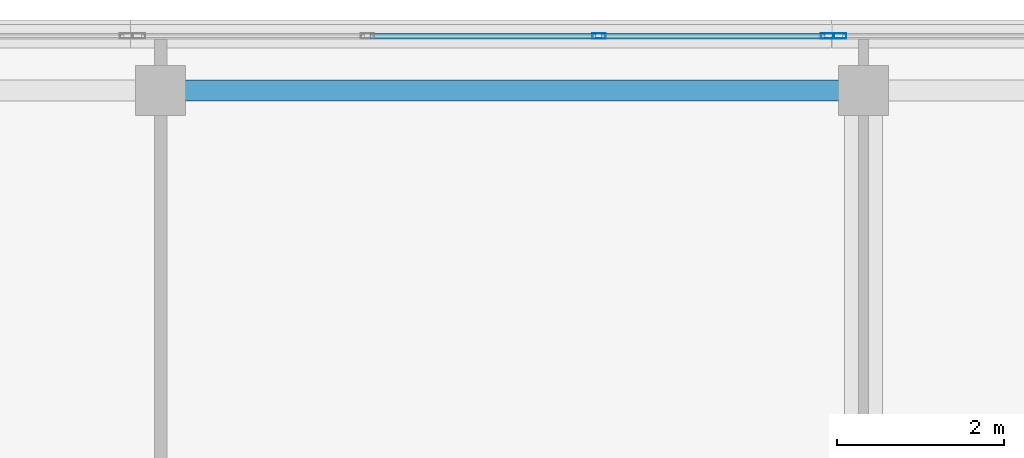
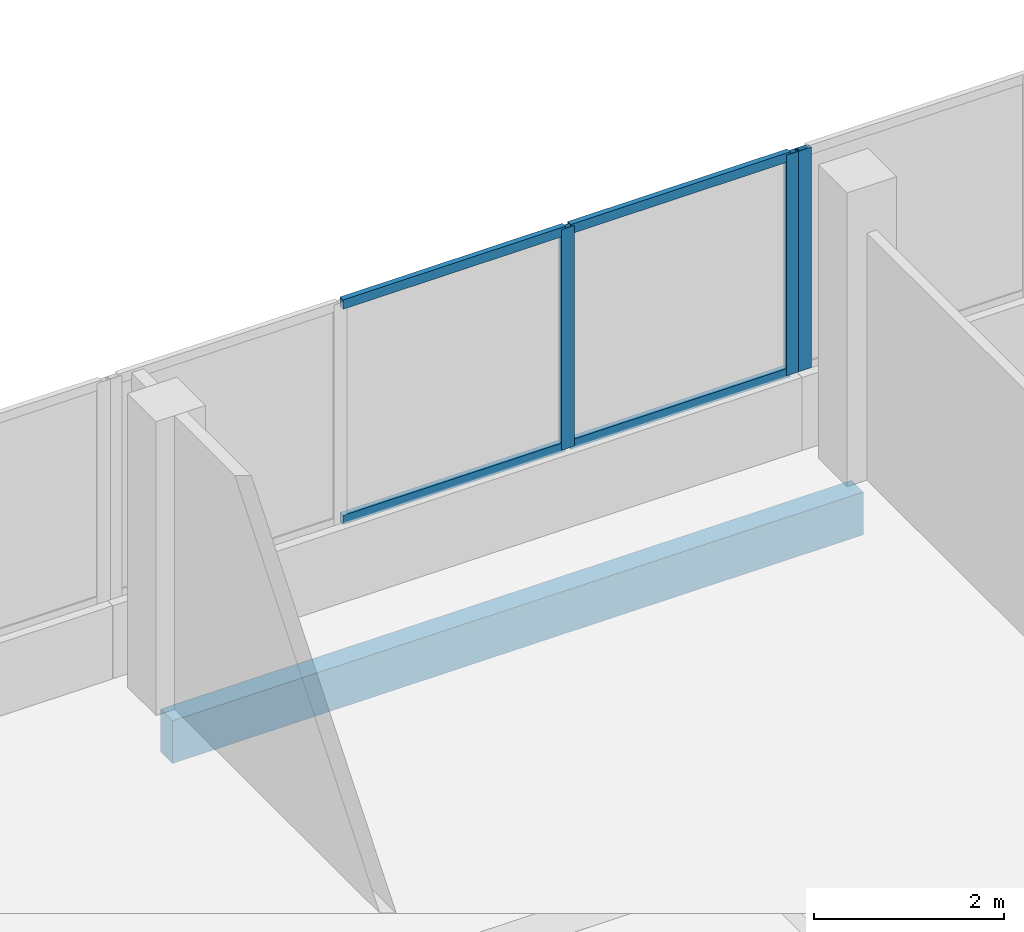
# One storey, part 56 of 78: 7 members, 1 beam, 2 elements without a shape of their own.
"""IFC4 building model written with IfcOpenShell, lengths in metres."""

from ifc_helpers import new_model, si_unit, direction, frame, origin, origin_2d, place, context, subcontext, project, spatial, rectangle, hollow_rectangle, extrude, material, material_profile, profile_set, type_object, element, aggregate, save


model = new_model("IFC4")

# Units and contexts
model_context = context("Model", 3, precision=1e-05, world=origin(), true_north=direction((0.0, 1.0)))
body_context = subcontext(model_context, "Body", "Model", "MODEL_VIEW")
ifc_project = project(units=[si_unit("LENGTHUNIT", "METRE"), si_unit("AREAUNIT", "SQUARE_METRE"), si_unit("VOLUMEUNIT", "CUBIC_METRE"), si_unit("PLANEANGLEUNIT", "RADIAN"), si_unit("MASSUNIT", "GRAM", prefix="KILO")], contexts=[model_context])

# Site, building, storey
site_placement = place(None, origin())
site = spatial("IfcSite", under=ifc_project, at=site_placement, CompositionType="ELEMENT")
building_placement = place(site_placement, origin())
building = spatial("IfcBuilding", under=site, at=building_placement, Name="Selatvlak General Hospital", CompositionType="ELEMENT")
storey_placement = place(building_placement, frame((0.0, 0.0, 23.25)))
storey = spatial("IfcBuildingStorey", under=building, at=storey_placement, Name="L05", CompositionType="ELEMENT", Elevation=23.25)

# Beam
ifc_material_1 = material(Name="Concrete C40/50", Category="concrete")
ifc_material_profile_1 = material_profile(ifc_material_1, rectangle(XDim=0.25, YDim=0.550048828125, at=origin_2d()), Name="RC-SP 250x550")
ifc_profile_set_1 = profile_set([ifc_material_profile_1], Name="Concrete C40/50")
beam_type = type_object("IfcBeamType", Name="BM-SP2", PredefinedType="SPANDREL", material=ifc_profile_set_1)
beam_placement = place(storey_placement, frame((165.60009765625, 119.35009765625, -0.554931640625), z_axis=(1.0, 0.0, 0.0), x_axis=(0.0, 1.0, 0.0)))
element("IfcBeam", 1, at=beam_placement, inside=storey, type_object=beam_type, Name="Beam BMR-L05-1987", PredefinedType="SPANDREL", context=body_context, shape_type="SweptSolid", body=[
    extrude(rectangle(XDim=0.25, YDim=0.550048828125, at=origin_2d()), origin(), (0.0, 0.0, 1.0), 8.39990234375),
])

# Curtain wall, members
ifc_material_2 = material(Name="Solar-control Low-E double glazing", Category="glass")
curtain_wall_type_1 = type_object("IfcCurtainWallType", Name="CW-CW-02", PredefinedType="USERDEFINED", material=ifc_material_2)
curtain_wall_1_placement = place(storey_placement, origin())
curtain_wall_1 = element("IfcCurtainWall", 2, at=curtain_wall_1_placement, inside=storey, type_object=curtain_wall_type_1, Name="Glazed facade curtain wall CW-L05-0564", ObjectType="UNITISED CURTAIN WALL", PredefinedType="USERDEFINED")
ifc_material_3 = material(Name="Dark anodised aluminium mullion", Category="aluminium")
ifc_material_profile_2 = material_profile(ifc_material_3, hollow_rectangle(XDim=0.06494140625, YDim=0.159912109375, WallThickness=0.00390625, at=origin_2d()), Name="AL-MUL 65x160x4")
ifc_profile_set_2 = profile_set([ifc_material_profile_2], Name="Dark anodised aluminium mullion")
member_type_1 = type_object("IfcMemberType", Name="CWM-01", PredefinedType="MULLION", material=ifc_profile_set_2)
member_1_placement = place(storey_placement, frame((170.838623046875, 120.0, 0.93994140625), z_axis=(0.0, 0.0, 1.0), x_axis=(0.0, 1.0, 0.0)))
member_1 = element("IfcMember", 3, at=member_1_placement, type_object=member_type_1, Name="CW-02 mullion 3", PredefinedType="MULLION", context=body_context, shape_type="SweptSolid", body=[
    extrude(hollow_rectangle(XDim=0.06494140625, YDim=0.159912109375, WallThickness=0.00390625, at=origin_2d()), origin(), (0.0, 0.0, 1.0), 2.8349609375),
])
member_2_placement = place(storey_placement, frame((173.572509765625, 120.0, 0.93994140625), z_axis=(0.0, 0.0, 1.0), x_axis=(0.0, 1.0, 0.0)))
member_2 = element("IfcMember", 4, at=member_2_placement, type_object=member_type_1, Name="CW-02 mullion 4", PredefinedType="MULLION", context=body_context, shape_type="SweptSolid", body=[
    extrude(hollow_rectangle(XDim=0.06494140625, YDim=0.159912109375, WallThickness=0.00390625, at=origin_2d()), origin(), (0.0, 0.0, 1.0), 2.8349609375),
])

# Curtain wall, member
curtain_wall_type_2 = type_object("IfcCurtainWallType", Name="CW-CW-01", PredefinedType="USERDEFINED", material=ifc_material_2)
curtain_wall_2_placement = place(storey_placement, origin())
curtain_wall_2 = element("IfcCurtainWall", 5, at=curtain_wall_2_placement, inside=storey, type_object=curtain_wall_type_2, Name="Glazed facade curtain wall CW-L05-0565", ObjectType="UNITISED CURTAIN WALL", PredefinedType="USERDEFINED")
member_3_placement = place(storey_placement, frame((173.717529296875, 120.0, 0.93994140625), z_axis=(0.0, 0.0, 1.0), x_axis=(0.0, 1.0, 0.0)))
member_3 = element("IfcMember", 6, at=member_3_placement, type_object=member_type_1, Name="CW-01 mullion 1", PredefinedType="MULLION", context=body_context, shape_type="SweptSolid", body=[
    extrude(hollow_rectangle(XDim=0.06494140625, YDim=0.159912109375, WallThickness=0.00390625, at=origin_2d()), origin(), (0.0, 0.0, 1.0), 2.8349609375),
])
aggregate(curtain_wall_2, [member_3])

# Member
ifc_material_profile_3 = material_profile(ifc_material_3, hollow_rectangle(XDim=0.06494140625, YDim=0.1201171875, WallThickness=0.00390625, at=origin_2d()), Name="AL-TRN 65x120x4")
ifc_profile_set_3 = profile_set([ifc_material_profile_3], Name="Dark anodised aluminium mullion")
member_type_2 = type_object("IfcMemberType", Name="CWT-01", PredefinedType="USERDEFINED", material=ifc_profile_set_3)
member_4_placement = place(storey_placement, frame((168.104736328125, 120.0, 0.972412109375), z_axis=(1.0, 0.0, 0.0), x_axis=(0.0, 1.0, 0.0)))
member_4 = element("IfcMember", 7, at=member_4_placement, type_object=member_type_2, Name="CW-02 transom 2.1", ObjectType="TRANSOM", PredefinedType="USERDEFINED", context=body_context, shape_type="SweptSolid", body=[
    extrude(hollow_rectangle(XDim=0.06494140625, YDim=0.1201171875, WallThickness=0.00390625, at=origin_2d()), origin(), (0.0, 0.0, 1.0), 2.701416015625),
])

member_5_placement = place(storey_placement, frame((168.104736328125, 120.0, 3.742431640625), z_axis=(1.0, 0.0, 0.0), x_axis=(0.0, 1.0, 0.0)))
member_5 = element("IfcMember", 8, at=member_5_placement, type_object=member_type_2, Name="CW-02 transom 2.2", ObjectType="TRANSOM", PredefinedType="USERDEFINED", context=body_context, shape_type="SweptSolid", body=[
    extrude(hollow_rectangle(XDim=0.06494140625, YDim=0.1201171875, WallThickness=0.00390625, at=origin_2d()), origin(), (0.0, 0.0, 1.0), 2.701416015625),
])

member_6_placement = place(storey_placement, frame((170.87109375, 120.0, 0.972412109375), z_axis=(1.0, 0.0, 0.0), x_axis=(0.0, 1.0, 0.0)))
member_6 = element("IfcMember", 9, at=member_6_placement, type_object=member_type_2, Name="CW-02 transom 3.1", ObjectType="TRANSOM", PredefinedType="USERDEFINED", context=body_context, shape_type="SweptSolid", body=[
    extrude(hollow_rectangle(XDim=0.06494140625, YDim=0.1201171875, WallThickness=0.00390625, at=origin_2d()), origin(), (0.0, 0.0, 1.0), 2.6689453125),
])

member_7_placement = place(storey_placement, frame((170.87109375, 120.0, 3.742431640625), z_axis=(1.0, 0.0, 0.0), x_axis=(0.0, 1.0, 0.0)))
member_7 = element("IfcMember", 10, at=member_7_placement, type_object=member_type_2, Name="CW-02 transom 3.2", ObjectType="TRANSOM", PredefinedType="USERDEFINED", context=body_context, shape_type="SweptSolid", body=[
    extrude(hollow_rectangle(XDim=0.06494140625, YDim=0.1201171875, WallThickness=0.00390625, at=origin_2d()), origin(), (0.0, 0.0, 1.0), 2.6689453125),
])

aggregate(curtain_wall_1, [member_1, member_2, member_4, member_5, member_6, member_7])

save(model, "model.ifc")
